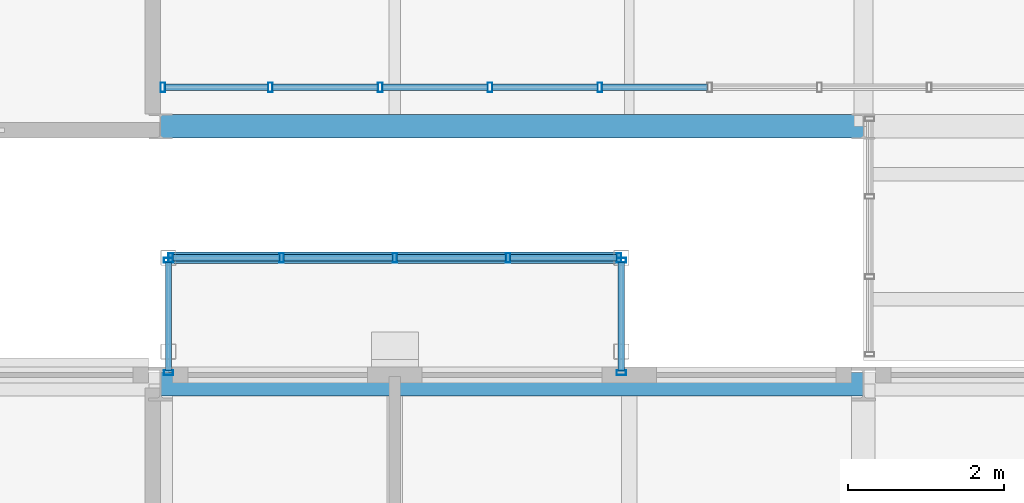
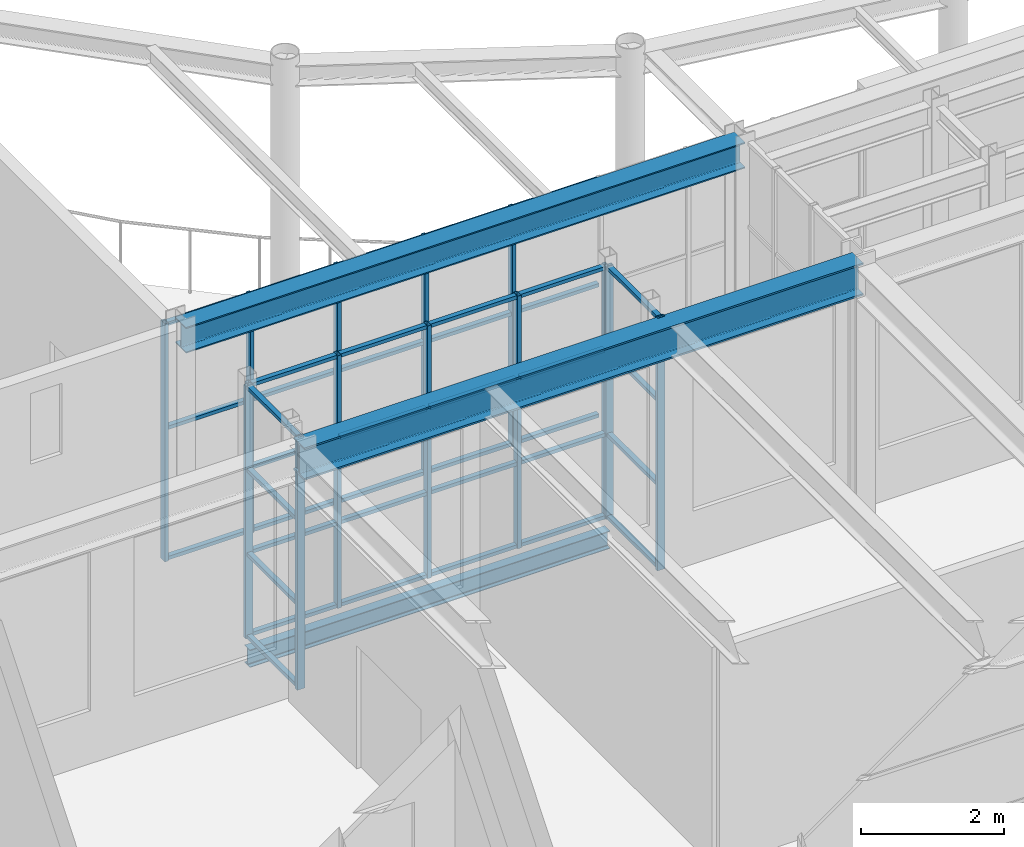
# One storey, part 34 of 111: 53 members, 3 beams, 4 elements without a shape of their own.
"""IFC4 building model written with IfcOpenShell, lengths in metres."""

from ifc_helpers import new_model, si_unit, direction, frame, origin, origin_2d, place, context, subcontext, project, spatial, hollow_rectangle, i_section, extrude, material, layer, layer_set, material_profile, profile_set, type_object, element, aggregate, save


model = new_model("IFC4")

# Units and contexts
model_context = context("Model", 3, precision=1e-05, world=origin(), true_north=direction((0.0, 1.0)))
body_context = subcontext(model_context, "Body", "Model", "MODEL_VIEW")
ifc_project = project(units=[si_unit("LENGTHUNIT", "METRE"), si_unit("AREAUNIT", "SQUARE_METRE"), si_unit("VOLUMEUNIT", "CUBIC_METRE"), si_unit("PLANEANGLEUNIT", "RADIAN"), si_unit("MASSUNIT", "GRAM", prefix="KILO")], contexts=[model_context])

# Site, building, storey
site_placement = place(None, origin())
site = spatial("IfcSite", under=ifc_project, at=site_placement, CompositionType="ELEMENT")
building_placement = place(site_placement, origin())
building = spatial("IfcBuilding", under=site, at=building_placement, Name="Kallimachos Central Library", CompositionType="ELEMENT")
storey_placement = place(building_placement, frame((0.0, 0.0, 14.39990234375)))
storey = spatial("IfcBuildingStorey", under=building, at=storey_placement, Name="L03", CompositionType="ELEMENT", Elevation=14.39990234375)

# Curtain wall, members
ifc_material_1 = material(Name="Anodised aluminium and laminated glass", Category="aluminium")
ifc_layer = layer(ifc_material_1, 0.159912109375)
ifc_layer_set = layer_set([ifc_layer], Name="Glass box curtain wall")
curtain_wall_type_1 = type_object("IfcCurtainWallType", Name="Glass box curtain wall", PredefinedType="NOTDEFINED", material=ifc_layer_set)
curtain_wall_1_placement = place(storey_placement, origin())
curtain_wall_1 = element("IfcCurtainWall", 1, at=curtain_wall_1_placement, inside=storey, type_object=curtain_wall_type_1, Name="Glass box curtain wall S L03", PredefinedType="NOTDEFINED")
ifc_material_2 = material(Name="Anodised aluminium", Category="aluminium")
ifc_material_profile_1 = material_profile(ifc_material_2, hollow_rectangle(XDim=0.06005859375, YDim=0.1201171875, WallThickness=0.00390625, at=origin_2d()), Name="ALU MULLION 60x120")
ifc_profile_set_1 = profile_set([ifc_material_profile_1], Name="Anodised aluminium")
member_type_1 = type_object("IfcMemberType", Name="Glass box mullion 60x120", PredefinedType="MULLION", material=ifc_profile_set_1)
member_1_placement = place(storey_placement, frame((74.530029296875, 87.64990234375, 0.0), z_axis=(0.0, 0.0, 1.0), x_axis=(1.0, 0.0, 0.0)))
member_1 = element("IfcMember", 2, at=member_1_placement, type_object=member_type_1, Name="CW21 mullion 1", PredefinedType="MULLION", context=body_context, shape_type="SweptSolid", body=[
    extrude(hollow_rectangle(XDim=0.06005859375, YDim=0.1201171875, WallThickness=0.00390625, at=origin_2d()), origin(), (0.0, 0.0, 1.0), 4.050048828125),
])
member_2_placement = place(storey_placement, frame((75.90625, 87.64990234375, 0.0), z_axis=(0.0, 0.0, 1.0), x_axis=(1.0, 0.0, 0.0)))
member_2 = element("IfcMember", 3, at=member_2_placement, type_object=member_type_1, Name="CW21 mullion 2", PredefinedType="MULLION", context=body_context, shape_type="SweptSolid", body=[
    extrude(hollow_rectangle(XDim=0.06005859375, YDim=0.1201171875, WallThickness=0.00390625, at=origin_2d()), origin(), (0.0, 0.0, 1.0), 4.050048828125),
])
member_3_placement = place(storey_placement, frame((77.3125, 87.64990234375, 0.0), z_axis=(0.0, 0.0, 1.0), x_axis=(1.0, 0.0, 0.0)))
member_3 = element("IfcMember", 4, at=member_3_placement, type_object=member_type_1, Name="CW21 mullion 3", PredefinedType="MULLION", context=body_context, shape_type="SweptSolid", body=[
    extrude(hollow_rectangle(XDim=0.06005859375, YDim=0.1201171875, WallThickness=0.00390625, at=origin_2d()), origin(), (0.0, 0.0, 1.0), 4.050048828125),
])
member_4_placement = place(storey_placement, frame((78.71875, 87.64990234375, 0.0), z_axis=(0.0, 0.0, 1.0), x_axis=(1.0, 0.0, 0.0)))
member_4 = element("IfcMember", 5, at=member_4_placement, type_object=member_type_1, Name="CW21 mullion 4", PredefinedType="MULLION", context=body_context, shape_type="SweptSolid", body=[
    extrude(hollow_rectangle(XDim=0.06005859375, YDim=0.1201171875, WallThickness=0.00390625, at=origin_2d()), origin(), (0.0, 0.0, 1.0), 4.050048828125),
])
member_5_placement = place(storey_placement, frame((80.125, 87.64990234375, 0.0), z_axis=(0.0, 0.0, 1.0), x_axis=(1.0, 0.0, 0.0)))
member_5 = element("IfcMember", 6, at=member_5_placement, type_object=member_type_1, Name="CW21 mullion 5", PredefinedType="MULLION", context=body_context, shape_type="SweptSolid", body=[
    extrude(hollow_rectangle(XDim=0.06005859375, YDim=0.1201171875, WallThickness=0.00390625, at=origin_2d()), origin(), (0.0, 0.0, 1.0), 4.050048828125),
])
ifc_material_3 = material(Name="Anodised aluminium", Category="aluminium")
ifc_material_profile_2 = material_profile(ifc_material_3, hollow_rectangle(XDim=0.06005859375, YDim=0.080078125, WallThickness=0.00390625, at=origin_2d()), Name="ALU TRANSOM 60x80")
ifc_profile_set_2 = profile_set([ifc_material_profile_2], Name="Anodised aluminium")
member_type_2 = type_object("IfcMemberType", Name="Glass box transom 60x80", PredefinedType="USERDEFINED", material=ifc_profile_set_2)
member_6_placement = place(storey_placement, frame((74.56005859375, 87.64990234375, 0.030029296875), z_axis=(1.0, 0.0, 0.0), x_axis=(0.0, 0.0, 1.0)))
member_6 = element("IfcMember", 7, at=member_6_placement, type_object=member_type_2, Name="CW21 transom 1.1", ObjectType="TRANSOM", PredefinedType="USERDEFINED", context=body_context, shape_type="SweptSolid", body=[
    extrude(hollow_rectangle(XDim=0.06005859375, YDim=0.080078125, WallThickness=0.00390625, at=origin_2d()), origin(), (0.0, 0.0, 1.0), 1.316162109375),
])
member_7_placement = place(storey_placement, frame((74.56005859375, 87.64990234375, 2.25), z_axis=(1.0, 0.0, 0.0), x_axis=(0.0, 0.0, 1.0)))
member_7 = element("IfcMember", 8, at=member_7_placement, type_object=member_type_2, Name="CW21 transom 1.2", ObjectType="TRANSOM", PredefinedType="USERDEFINED", context=body_context, shape_type="SweptSolid", body=[
    extrude(hollow_rectangle(XDim=0.06005859375, YDim=0.080078125, WallThickness=0.00390625, at=origin_2d()), origin(), (0.0, 0.0, 1.0), 1.316162109375),
])
member_8_placement = place(storey_placement, frame((74.56005859375, 87.64990234375, 4.02001953125), z_axis=(1.0, 0.0, 0.0), x_axis=(0.0, 0.0, 1.0)))
member_8 = element("IfcMember", 9, at=member_8_placement, type_object=member_type_2, Name="CW21 transom 1.3", ObjectType="TRANSOM", PredefinedType="USERDEFINED", context=body_context, shape_type="SweptSolid", body=[
    extrude(hollow_rectangle(XDim=0.06005859375, YDim=0.080078125, WallThickness=0.00390625, at=origin_2d()), origin(), (0.0, 0.0, 1.0), 1.316162109375),
])
member_9_placement = place(storey_placement, frame((75.936279296875, 87.64990234375, 0.030029296875), z_axis=(1.0, 0.0, 0.0), x_axis=(0.0, 0.0, 1.0)))
member_9 = element("IfcMember", 10, at=member_9_placement, type_object=member_type_2, Name="CW21 transom 2.1", ObjectType="TRANSOM", PredefinedType="USERDEFINED", context=body_context, shape_type="SweptSolid", body=[
    extrude(hollow_rectangle(XDim=0.06005859375, YDim=0.080078125, WallThickness=0.00390625, at=origin_2d()), origin(), (0.0, 0.0, 1.0), 1.34619140625),
])
member_10_placement = place(storey_placement, frame((75.936279296875, 87.64990234375, 2.25), z_axis=(1.0, 0.0, 0.0), x_axis=(0.0, 0.0, 1.0)))
member_10 = element("IfcMember", 11, at=member_10_placement, type_object=member_type_2, Name="CW21 transom 2.2", ObjectType="TRANSOM", PredefinedType="USERDEFINED", context=body_context, shape_type="SweptSolid", body=[
    extrude(hollow_rectangle(XDim=0.06005859375, YDim=0.080078125, WallThickness=0.00390625, at=origin_2d()), origin(), (0.0, 0.0, 1.0), 1.34619140625),
])
member_11_placement = place(storey_placement, frame((75.936279296875, 87.64990234375, 4.02001953125), z_axis=(1.0, 0.0, 0.0), x_axis=(0.0, 0.0, 1.0)))
member_11 = element("IfcMember", 12, at=member_11_placement, type_object=member_type_2, Name="CW21 transom 2.3", ObjectType="TRANSOM", PredefinedType="USERDEFINED", context=body_context, shape_type="SweptSolid", body=[
    extrude(hollow_rectangle(XDim=0.06005859375, YDim=0.080078125, WallThickness=0.00390625, at=origin_2d()), origin(), (0.0, 0.0, 1.0), 1.34619140625),
])
member_12_placement = place(storey_placement, frame((77.342529296875, 87.64990234375, 0.030029296875), z_axis=(1.0, 0.0, 0.0), x_axis=(0.0, 0.0, 1.0)))
member_12 = element("IfcMember", 13, at=member_12_placement, type_object=member_type_2, Name="CW21 transom 3.1", ObjectType="TRANSOM", PredefinedType="USERDEFINED", context=body_context, shape_type="SweptSolid", body=[
    extrude(hollow_rectangle(XDim=0.06005859375, YDim=0.080078125, WallThickness=0.00390625, at=origin_2d()), origin(), (0.0, 0.0, 1.0), 1.34619140625),
])
member_13_placement = place(storey_placement, frame((77.342529296875, 87.64990234375, 2.25), z_axis=(1.0, 0.0, 0.0), x_axis=(0.0, 0.0, 1.0)))
member_13 = element("IfcMember", 14, at=member_13_placement, type_object=member_type_2, Name="CW21 transom 3.2", ObjectType="TRANSOM", PredefinedType="USERDEFINED", context=body_context, shape_type="SweptSolid", body=[
    extrude(hollow_rectangle(XDim=0.06005859375, YDim=0.080078125, WallThickness=0.00390625, at=origin_2d()), origin(), (0.0, 0.0, 1.0), 1.34619140625),
])
member_14_placement = place(storey_placement, frame((77.342529296875, 87.64990234375, 4.02001953125), z_axis=(1.0, 0.0, 0.0), x_axis=(0.0, 0.0, 1.0)))
member_14 = element("IfcMember", 15, at=member_14_placement, type_object=member_type_2, Name="CW21 transom 3.3", ObjectType="TRANSOM", PredefinedType="USERDEFINED", context=body_context, shape_type="SweptSolid", body=[
    extrude(hollow_rectangle(XDim=0.06005859375, YDim=0.080078125, WallThickness=0.00390625, at=origin_2d()), origin(), (0.0, 0.0, 1.0), 1.34619140625),
])
member_15_placement = place(storey_placement, frame((78.748779296875, 87.64990234375, 0.030029296875), z_axis=(1.0, 0.0, 0.0), x_axis=(0.0, 0.0, 1.0)))
member_15 = element("IfcMember", 16, at=member_15_placement, type_object=member_type_2, Name="CW21 transom 4.1", ObjectType="TRANSOM", PredefinedType="USERDEFINED", context=body_context, shape_type="SweptSolid", body=[
    extrude(hollow_rectangle(XDim=0.06005859375, YDim=0.080078125, WallThickness=0.00390625, at=origin_2d()), origin(), (0.0, 0.0, 1.0), 1.34619140625),
])
member_16_placement = place(storey_placement, frame((78.748779296875, 87.64990234375, 2.25), z_axis=(1.0, 0.0, 0.0), x_axis=(0.0, 0.0, 1.0)))
member_16 = element("IfcMember", 17, at=member_16_placement, type_object=member_type_2, Name="CW21 transom 4.2", ObjectType="TRANSOM", PredefinedType="USERDEFINED", context=body_context, shape_type="SweptSolid", body=[
    extrude(hollow_rectangle(XDim=0.06005859375, YDim=0.080078125, WallThickness=0.00390625, at=origin_2d()), origin(), (0.0, 0.0, 1.0), 1.34619140625),
])
member_17_placement = place(storey_placement, frame((78.748779296875, 87.64990234375, 4.02001953125), z_axis=(1.0, 0.0, 0.0), x_axis=(0.0, 0.0, 1.0)))
member_17 = element("IfcMember", 18, at=member_17_placement, type_object=member_type_2, Name="CW21 transom 4.3", ObjectType="TRANSOM", PredefinedType="USERDEFINED", context=body_context, shape_type="SweptSolid", body=[
    extrude(hollow_rectangle(XDim=0.06005859375, YDim=0.080078125, WallThickness=0.00390625, at=origin_2d()), origin(), (0.0, 0.0, 1.0), 1.34619140625),
])
member_18_placement = place(storey_placement, frame((80.155029296875, 87.64990234375, 0.030029296875), z_axis=(1.0, 0.0, 0.0), x_axis=(0.0, 0.0, 1.0)))
member_18 = element("IfcMember", 19, at=member_18_placement, type_object=member_type_2, Name="CW21 transom 5.1", ObjectType="TRANSOM", PredefinedType="USERDEFINED", context=body_context, shape_type="SweptSolid", body=[
    extrude(hollow_rectangle(XDim=0.06005859375, YDim=0.080078125, WallThickness=0.00390625, at=origin_2d()), origin(), (0.0, 0.0, 1.0), 1.34619140625),
])
member_19_placement = place(storey_placement, frame((80.155029296875, 87.64990234375, 2.25), z_axis=(1.0, 0.0, 0.0), x_axis=(0.0, 0.0, 1.0)))
member_19 = element("IfcMember", 20, at=member_19_placement, type_object=member_type_2, Name="CW21 transom 5.2", ObjectType="TRANSOM", PredefinedType="USERDEFINED", context=body_context, shape_type="SweptSolid", body=[
    extrude(hollow_rectangle(XDim=0.06005859375, YDim=0.080078125, WallThickness=0.00390625, at=origin_2d()), origin(), (0.0, 0.0, 1.0), 1.34619140625),
])
member_20_placement = place(storey_placement, frame((80.155029296875, 87.64990234375, 4.02001953125), z_axis=(1.0, 0.0, 0.0), x_axis=(0.0, 0.0, 1.0)))
member_20 = element("IfcMember", 21, at=member_20_placement, type_object=member_type_2, Name="CW21 transom 5.3", ObjectType="TRANSOM", PredefinedType="USERDEFINED", context=body_context, shape_type="SweptSolid", body=[
    extrude(hollow_rectangle(XDim=0.06005859375, YDim=0.080078125, WallThickness=0.00390625, at=origin_2d()), origin(), (0.0, 0.0, 1.0), 1.34619140625),
])
aggregate(curtain_wall_1, [member_1, member_2, member_3, member_4, member_5, member_6, member_7, member_8, member_9, member_10, member_11, member_12, member_13, member_14, member_15, member_16, member_17, member_18, member_19, member_20])

# Beams
ifc_material_4 = material(Name="Steel S355J2", Category="steel")
ifc_material_profile_3 = material_profile(ifc_material_4, i_section(OverallWidth=0.300048828125, OverallDepth=0.43994140625, WebThickness=0.011474609375, FlangeThickness=0.02099609375, FilletRadius=0.027099609375, at=origin_2d()), Name="HEA 450")
ifc_profile_set_3 = profile_set([ifc_material_profile_3], Name="Steel S355J2")
beam_type_1 = type_object("IfcBeamType", Name="HEA 450 beam", PredefinedType="BEAM", material=ifc_profile_set_3)
beam_1_placement = place(storey_placement, frame((74.5, 87.14990234375, 4.130126953125), z_axis=(1.0, 0.0, 0.0), x_axis=(0.0, 1.0, 0.0)))
element("IfcBeam", 22, at=beam_1_placement, inside=storey, type_object=beam_type_1, Name="V1-BEM-L03-039", PredefinedType="BEAM", context=body_context, shape_type="SweptSolid", body=[
    extrude(i_section(OverallWidth=0.300048828125, OverallDepth=0.43994140625, WebThickness=0.011474609375, FlangeThickness=0.02099609375, FilletRadius=0.027099609375, at=origin_2d()), origin(), (0.0, 0.0, 1.0), 9.0),
])
ifc_material_5 = material(Name="Steel S355J2", Category="steel")
ifc_material_profile_4 = material_profile(ifc_material_5, i_section(OverallWidth=0.300048828125, OverallDepth=0.550048828125, WebThickness=0.014892578125, FlangeThickness=0.029052734375, FilletRadius=0.027099609375, at=origin_2d()), Name="HEB 550")
ifc_profile_set_4 = profile_set([ifc_material_profile_4], Name="Steel S355J2")
beam_type_2 = type_object("IfcBeamType", Name="HEB 550 beam", PredefinedType="BEAM", material=ifc_profile_set_4)
beam_2_placement = place(storey_placement, frame((74.5, 83.85009765625, 4.025146484375), z_axis=(1.0, 0.0, 0.0), x_axis=(0.0, 1.0, 0.0)))
element("IfcBeam", 23, at=beam_2_placement, inside=storey, type_object=beam_type_2, Name="V4-BEM-L03-005", PredefinedType="BEAM", context=body_context, shape_type="SweptSolid", body=[
    extrude(i_section(OverallWidth=0.300048828125, OverallDepth=0.550048828125, WebThickness=0.014892578125, FlangeThickness=0.029052734375, FilletRadius=0.027099609375, at=origin_2d()), origin(), (0.0, 0.0, 1.0), 9.0),
])
ifc_material_6 = material(Name="Steel S355J2", Category="steel")
ifc_material_profile_5 = material_profile(ifc_material_6, i_section(OverallWidth=0.14990234375, OverallDepth=0.300048828125, WebThickness=0.007080078125, FlangeThickness=0.0107421875, FilletRadius=0.014892578125, at=origin_2d()), Name="IPE 300")
ifc_profile_set_5 = profile_set([ifc_material_profile_5], Name="Steel S355J2")
beam_type_3 = type_object("IfcBeamType", Name="IPE 300 beam", PredefinedType="BEAM", material=ifc_profile_set_5)
beam_3_placement = place(storey_placement, frame((74.60009765625, 85.466064453125, -0.349853515625), z_axis=(1.0, 0.0, 0.0), x_axis=(0.0, 1.0, 0.0)))
element("IfcBeam", 24, at=beam_3_placement, inside=storey, type_object=beam_type_3, Name="Tribune bay N1 edge beam L03", PredefinedType="BEAM", context=body_context, shape_type="SweptSolid", body=[
    extrude(i_section(OverallWidth=0.14990234375, OverallDepth=0.300048828125, WebThickness=0.007080078125, FlangeThickness=0.0107421875, FilletRadius=0.014892578125, at=origin_2d()), origin(), (0.0, 0.0, 1.0), 5.7998046875),
])

# Curtain wall, members
ifc_material_7 = material(Name="Aluminium and laminated glass", Category="aluminium")
curtain_wall_type_2 = type_object("IfcCurtainWallType", Name="Tribune bay glazed screen", PredefinedType="NOTDEFINED", material=ifc_material_7)
curtain_wall_2_placement = place(storey_placement, origin())
curtain_wall_2 = element("IfcCurtainWall", 25, at=curtain_wall_2_placement, inside=storey, type_object=curtain_wall_type_2, Name="Tribune bay N1 L03 front", PredefinedType="NOTDEFINED")
ifc_material_8 = material(Name="Anodised aluminium", Category="aluminium")
ifc_material_profile_6 = material_profile(ifc_material_8, hollow_rectangle(XDim=0.06005859375, YDim=0.1201171875, WallThickness=0.00390625, at=origin_2d()), Name="ALU MULLION 60x120")
ifc_profile_set_6 = profile_set([ifc_material_profile_6], Name="Anodised aluminium")
member_type_3 = type_object("IfcMemberType", Name="Tribune bay mullion", PredefinedType="MULLION", material=ifc_profile_set_6)
member_21_placement = place(storey_placement, frame((74.6298828125, 85.466064453125, 0.0), z_axis=(0.0, 0.0, 1.0), x_axis=(1.0, 0.0, 0.0)))
member_21 = element("IfcMember", 26, at=member_21_placement, type_object=member_type_3, Name="CW mullion 1", PredefinedType="MULLION", context=body_context, shape_type="SweptSolid", body=[
    extrude(hollow_rectangle(XDim=0.06005859375, YDim=0.1201171875, WallThickness=0.00390625, at=origin_2d()), origin(), (0.0, 0.0, 1.0), 4.300048828125),
])
member_22_placement = place(storey_placement, frame((76.050048828125, 85.466064453125, 0.0), z_axis=(0.0, 0.0, 1.0), x_axis=(1.0, 0.0, 0.0)))
member_22 = element("IfcMember", 27, at=member_22_placement, type_object=member_type_3, Name="CW mullion 2", PredefinedType="MULLION", context=body_context, shape_type="SweptSolid", body=[
    extrude(hollow_rectangle(XDim=0.06005859375, YDim=0.1201171875, WallThickness=0.00390625, at=origin_2d()), origin(), (0.0, 0.0, 1.0), 4.300048828125),
])
member_23_placement = place(storey_placement, frame((77.5, 85.466064453125, 0.0), z_axis=(0.0, 0.0, 1.0), x_axis=(1.0, 0.0, 0.0)))
member_23 = element("IfcMember", 28, at=member_23_placement, type_object=member_type_3, Name="CW mullion 3", PredefinedType="MULLION", context=body_context, shape_type="SweptSolid", body=[
    extrude(hollow_rectangle(XDim=0.06005859375, YDim=0.1201171875, WallThickness=0.00390625, at=origin_2d()), origin(), (0.0, 0.0, 1.0), 4.300048828125),
])
member_24_placement = place(storey_placement, frame((78.949951171875, 85.466064453125, 0.0), z_axis=(0.0, 0.0, 1.0), x_axis=(1.0, 0.0, 0.0)))
member_24 = element("IfcMember", 29, at=member_24_placement, type_object=member_type_3, Name="CW mullion 4", PredefinedType="MULLION", context=body_context, shape_type="SweptSolid", body=[
    extrude(hollow_rectangle(XDim=0.06005859375, YDim=0.1201171875, WallThickness=0.00390625, at=origin_2d()), origin(), (0.0, 0.0, 1.0), 4.300048828125),
])
member_25_placement = place(storey_placement, frame((80.3701171875, 85.466064453125, 0.0), z_axis=(0.0, 0.0, 1.0), x_axis=(1.0, 0.0, 0.0)))
member_25 = element("IfcMember", 30, at=member_25_placement, type_object=member_type_3, Name="CW mullion 5", PredefinedType="MULLION", context=body_context, shape_type="SweptSolid", body=[
    extrude(hollow_rectangle(XDim=0.06005859375, YDim=0.1201171875, WallThickness=0.00390625, at=origin_2d()), origin(), (0.0, 0.0, 1.0), 4.300048828125),
])

curtain_wall_3_placement = place(storey_placement, origin())
curtain_wall_3 = element("IfcCurtainWall", 31, at=curtain_wall_3_placement, inside=storey, type_object=curtain_wall_type_2, Name="Tribune bay N1 L03 return 1", PredefinedType="NOTDEFINED")
member_26_placement = place(storey_placement, frame((74.60009765625, 83.99609375, 0.0), z_axis=(0.0, 0.0, 1.0), x_axis=(0.0, 1.0, 0.0)))
member_26 = element("IfcMember", 32, at=member_26_placement, type_object=member_type_3, Name="CW mullion 1", PredefinedType="MULLION", context=body_context, shape_type="SweptSolid", body=[
    extrude(hollow_rectangle(XDim=0.06005859375, YDim=0.1201171875, WallThickness=0.00390625, at=origin_2d()), origin(), (0.0, 0.0, 1.0), 4.300048828125),
])
member_27_placement = place(storey_placement, frame((74.60009765625, 85.43603515625, 0.0), z_axis=(0.0, 0.0, 1.0), x_axis=(0.0, 1.0, 0.0)))
member_27 = element("IfcMember", 33, at=member_27_placement, type_object=member_type_3, Name="CW mullion 2", PredefinedType="MULLION", context=body_context, shape_type="SweptSolid", body=[
    extrude(hollow_rectangle(XDim=0.06005859375, YDim=0.1201171875, WallThickness=0.00390625, at=origin_2d()), origin(), (0.0, 0.0, 1.0), 4.300048828125),
])

curtain_wall_4_placement = place(storey_placement, origin())
curtain_wall_4 = element("IfcCurtainWall", 34, at=curtain_wall_4_placement, inside=storey, type_object=curtain_wall_type_2, Name="Tribune bay N1 L03 return 2", PredefinedType="NOTDEFINED")
member_28_placement = place(storey_placement, frame((80.39990234375, 83.99609375, 0.0), z_axis=(0.0, 0.0, 1.0), x_axis=(0.0, 1.0, 0.0)))
member_28 = element("IfcMember", 35, at=member_28_placement, type_object=member_type_3, Name="CW mullion 1", PredefinedType="MULLION", context=body_context, shape_type="SweptSolid", body=[
    extrude(hollow_rectangle(XDim=0.06005859375, YDim=0.1201171875, WallThickness=0.00390625, at=origin_2d()), origin(), (0.0, 0.0, 1.0), 4.300048828125),
])
member_29_placement = place(storey_placement, frame((80.39990234375, 85.43603515625, 0.0), z_axis=(0.0, 0.0, 1.0), x_axis=(0.0, 1.0, 0.0)))
member_29 = element("IfcMember", 36, at=member_29_placement, type_object=member_type_3, Name="CW mullion 2", PredefinedType="MULLION", context=body_context, shape_type="SweptSolid", body=[
    extrude(hollow_rectangle(XDim=0.06005859375, YDim=0.1201171875, WallThickness=0.00390625, at=origin_2d()), origin(), (0.0, 0.0, 1.0), 4.300048828125),
])

# Member
ifc_material_9 = material(Name="Anodised aluminium", Category="aluminium")
ifc_material_profile_7 = material_profile(ifc_material_9, hollow_rectangle(XDim=0.06005859375, YDim=0.080078125, WallThickness=0.00390625, at=origin_2d()), Name="ALU TRANSOM 60x80")
ifc_profile_set_7 = profile_set([ifc_material_profile_7], Name="Anodised aluminium")
member_type_4 = type_object("IfcMemberType", Name="Tribune bay transom", PredefinedType="USERDEFINED", material=ifc_profile_set_7)
member_30_placement = place(storey_placement, frame((74.659912109375, 85.466064453125, 0.030029296875), z_axis=(1.0, 0.0, 0.0), x_axis=(0.0, 0.0, 1.0)))
member_30 = element("IfcMember", 37, at=member_30_placement, type_object=member_type_4, Name="CW transom 1.1", ObjectType="TRANSOM", PredefinedType="USERDEFINED", context=body_context, shape_type="SweptSolid", body=[
    extrude(hollow_rectangle(XDim=0.06005859375, YDim=0.080078125, WallThickness=0.00390625, at=origin_2d()), origin(), (0.0, 0.0, 1.0), 1.360107421875),
])

member_31_placement = place(storey_placement, frame((74.659912109375, 85.466064453125, 1.433349609375), z_axis=(1.0, 0.0, 0.0), x_axis=(0.0, 0.0, 1.0)))
member_31 = element("IfcMember", 38, at=member_31_placement, type_object=member_type_4, Name="CW transom 1.2", ObjectType="TRANSOM", PredefinedType="USERDEFINED", context=body_context, shape_type="SweptSolid", body=[
    extrude(hollow_rectangle(XDim=0.06005859375, YDim=0.080078125, WallThickness=0.00390625, at=origin_2d()), origin(), (0.0, 0.0, 1.0), 1.360107421875),
])

member_32_placement = place(storey_placement, frame((74.659912109375, 85.466064453125, 2.86669921875), z_axis=(1.0, 0.0, 0.0), x_axis=(0.0, 0.0, 1.0)))
member_32 = element("IfcMember", 39, at=member_32_placement, type_object=member_type_4, Name="CW transom 1.3", ObjectType="TRANSOM", PredefinedType="USERDEFINED", context=body_context, shape_type="SweptSolid", body=[
    extrude(hollow_rectangle(XDim=0.06005859375, YDim=0.080078125, WallThickness=0.00390625, at=origin_2d()), origin(), (0.0, 0.0, 1.0), 1.360107421875),
])

member_33_placement = place(storey_placement, frame((74.659912109375, 85.466064453125, 4.27001953125), z_axis=(1.0, 0.0, 0.0), x_axis=(0.0, 0.0, 1.0)))
member_33 = element("IfcMember", 40, at=member_33_placement, type_object=member_type_4, Name="CW transom 1.4", ObjectType="TRANSOM", PredefinedType="USERDEFINED", context=body_context, shape_type="SweptSolid", body=[
    extrude(hollow_rectangle(XDim=0.06005859375, YDim=0.080078125, WallThickness=0.00390625, at=origin_2d()), origin(), (0.0, 0.0, 1.0), 1.360107421875),
])

member_34_placement = place(storey_placement, frame((76.080078125, 85.466064453125, 0.030029296875), z_axis=(1.0, 0.0, 0.0), x_axis=(0.0, 0.0, 1.0)))
member_34 = element("IfcMember", 41, at=member_34_placement, type_object=member_type_4, Name="CW transom 2.1", ObjectType="TRANSOM", PredefinedType="USERDEFINED", context=body_context, shape_type="SweptSolid", body=[
    extrude(hollow_rectangle(XDim=0.06005859375, YDim=0.080078125, WallThickness=0.00390625, at=origin_2d()), origin(), (0.0, 0.0, 1.0), 1.389892578125),
])

member_35_placement = place(storey_placement, frame((76.080078125, 85.466064453125, 1.433349609375), z_axis=(1.0, 0.0, 0.0), x_axis=(0.0, 0.0, 1.0)))
member_35 = element("IfcMember", 42, at=member_35_placement, type_object=member_type_4, Name="CW transom 2.2", ObjectType="TRANSOM", PredefinedType="USERDEFINED", context=body_context, shape_type="SweptSolid", body=[
    extrude(hollow_rectangle(XDim=0.06005859375, YDim=0.080078125, WallThickness=0.00390625, at=origin_2d()), origin(), (0.0, 0.0, 1.0), 1.389892578125),
])

member_36_placement = place(storey_placement, frame((76.080078125, 85.466064453125, 2.86669921875), z_axis=(1.0, 0.0, 0.0), x_axis=(0.0, 0.0, 1.0)))
member_36 = element("IfcMember", 43, at=member_36_placement, type_object=member_type_4, Name="CW transom 2.3", ObjectType="TRANSOM", PredefinedType="USERDEFINED", context=body_context, shape_type="SweptSolid", body=[
    extrude(hollow_rectangle(XDim=0.06005859375, YDim=0.080078125, WallThickness=0.00390625, at=origin_2d()), origin(), (0.0, 0.0, 1.0), 1.389892578125),
])

member_37_placement = place(storey_placement, frame((76.080078125, 85.466064453125, 4.27001953125), z_axis=(1.0, 0.0, 0.0), x_axis=(0.0, 0.0, 1.0)))
member_37 = element("IfcMember", 44, at=member_37_placement, type_object=member_type_4, Name="CW transom 2.4", ObjectType="TRANSOM", PredefinedType="USERDEFINED", context=body_context, shape_type="SweptSolid", body=[
    extrude(hollow_rectangle(XDim=0.06005859375, YDim=0.080078125, WallThickness=0.00390625, at=origin_2d()), origin(), (0.0, 0.0, 1.0), 1.389892578125),
])

member_38_placement = place(storey_placement, frame((77.530029296875, 85.466064453125, 0.030029296875), z_axis=(1.0, 0.0, 0.0), x_axis=(0.0, 0.0, 1.0)))
member_38 = element("IfcMember", 45, at=member_38_placement, type_object=member_type_4, Name="CW transom 3.1", ObjectType="TRANSOM", PredefinedType="USERDEFINED", context=body_context, shape_type="SweptSolid", body=[
    extrude(hollow_rectangle(XDim=0.06005859375, YDim=0.080078125, WallThickness=0.00390625, at=origin_2d()), origin(), (0.0, 0.0, 1.0), 1.389892578125),
])

member_39_placement = place(storey_placement, frame((77.530029296875, 85.466064453125, 1.433349609375), z_axis=(1.0, 0.0, 0.0), x_axis=(0.0, 0.0, 1.0)))
member_39 = element("IfcMember", 46, at=member_39_placement, type_object=member_type_4, Name="CW transom 3.2", ObjectType="TRANSOM", PredefinedType="USERDEFINED", context=body_context, shape_type="SweptSolid", body=[
    extrude(hollow_rectangle(XDim=0.06005859375, YDim=0.080078125, WallThickness=0.00390625, at=origin_2d()), origin(), (0.0, 0.0, 1.0), 1.389892578125),
])

member_40_placement = place(storey_placement, frame((77.530029296875, 85.466064453125, 2.86669921875), z_axis=(1.0, 0.0, 0.0), x_axis=(0.0, 0.0, 1.0)))
member_40 = element("IfcMember", 47, at=member_40_placement, type_object=member_type_4, Name="CW transom 3.3", ObjectType="TRANSOM", PredefinedType="USERDEFINED", context=body_context, shape_type="SweptSolid", body=[
    extrude(hollow_rectangle(XDim=0.06005859375, YDim=0.080078125, WallThickness=0.00390625, at=origin_2d()), origin(), (0.0, 0.0, 1.0), 1.389892578125),
])

member_41_placement = place(storey_placement, frame((77.530029296875, 85.466064453125, 4.27001953125), z_axis=(1.0, 0.0, 0.0), x_axis=(0.0, 0.0, 1.0)))
member_41 = element("IfcMember", 48, at=member_41_placement, type_object=member_type_4, Name="CW transom 3.4", ObjectType="TRANSOM", PredefinedType="USERDEFINED", context=body_context, shape_type="SweptSolid", body=[
    extrude(hollow_rectangle(XDim=0.06005859375, YDim=0.080078125, WallThickness=0.00390625, at=origin_2d()), origin(), (0.0, 0.0, 1.0), 1.389892578125),
])

member_42_placement = place(storey_placement, frame((78.97998046875, 85.466064453125, 0.030029296875), z_axis=(1.0, 0.0, 0.0), x_axis=(0.0, 0.0, 1.0)))
member_42 = element("IfcMember", 49, at=member_42_placement, type_object=member_type_4, Name="CW transom 4.1", ObjectType="TRANSOM", PredefinedType="USERDEFINED", context=body_context, shape_type="SweptSolid", body=[
    extrude(hollow_rectangle(XDim=0.06005859375, YDim=0.080078125, WallThickness=0.00390625, at=origin_2d()), origin(), (0.0, 0.0, 1.0), 1.360107421875),
])

member_43_placement = place(storey_placement, frame((78.97998046875, 85.466064453125, 1.433349609375), z_axis=(1.0, 0.0, 0.0), x_axis=(0.0, 0.0, 1.0)))
member_43 = element("IfcMember", 50, at=member_43_placement, type_object=member_type_4, Name="CW transom 4.2", ObjectType="TRANSOM", PredefinedType="USERDEFINED", context=body_context, shape_type="SweptSolid", body=[
    extrude(hollow_rectangle(XDim=0.06005859375, YDim=0.080078125, WallThickness=0.00390625, at=origin_2d()), origin(), (0.0, 0.0, 1.0), 1.360107421875),
])

member_44_placement = place(storey_placement, frame((78.97998046875, 85.466064453125, 2.86669921875), z_axis=(1.0, 0.0, 0.0), x_axis=(0.0, 0.0, 1.0)))
member_44 = element("IfcMember", 51, at=member_44_placement, type_object=member_type_4, Name="CW transom 4.3", ObjectType="TRANSOM", PredefinedType="USERDEFINED", context=body_context, shape_type="SweptSolid", body=[
    extrude(hollow_rectangle(XDim=0.06005859375, YDim=0.080078125, WallThickness=0.00390625, at=origin_2d()), origin(), (0.0, 0.0, 1.0), 1.360107421875),
])

member_45_placement = place(storey_placement, frame((78.97998046875, 85.466064453125, 4.27001953125), z_axis=(1.0, 0.0, 0.0), x_axis=(0.0, 0.0, 1.0)))
member_45 = element("IfcMember", 52, at=member_45_placement, type_object=member_type_4, Name="CW transom 4.4", ObjectType="TRANSOM", PredefinedType="USERDEFINED", context=body_context, shape_type="SweptSolid", body=[
    extrude(hollow_rectangle(XDim=0.06005859375, YDim=0.080078125, WallThickness=0.00390625, at=origin_2d()), origin(), (0.0, 0.0, 1.0), 1.360107421875),
])

aggregate(curtain_wall_2, [member_21, member_22, member_23, member_24, member_25, member_30, member_31, member_32, member_33, member_34, member_35, member_36, member_37, member_38, member_39, member_40, member_41, member_42, member_43, member_44, member_45])

member_46_placement = place(storey_placement, frame((74.60009765625, 84.02587890625, 0.030029296875), z_axis=(0.0, 1.0, 0.0), x_axis=(0.0, 0.0, 1.0)))
member_46 = element("IfcMember", 53, at=member_46_placement, type_object=member_type_4, Name="CW transom 1.1", ObjectType="TRANSOM", PredefinedType="USERDEFINED", context=body_context, shape_type="SweptSolid", body=[
    extrude(hollow_rectangle(XDim=0.06005859375, YDim=0.080078125, WallThickness=0.00390625, at=origin_2d()), origin(), (0.0, 0.0, 1.0), 1.380126953125),
])

member_47_placement = place(storey_placement, frame((74.60009765625, 84.02587890625, 1.433349609375), z_axis=(0.0, 1.0, 0.0), x_axis=(0.0, 0.0, 1.0)))
member_47 = element("IfcMember", 54, at=member_47_placement, type_object=member_type_4, Name="CW transom 1.2", ObjectType="TRANSOM", PredefinedType="USERDEFINED", context=body_context, shape_type="SweptSolid", body=[
    extrude(hollow_rectangle(XDim=0.06005859375, YDim=0.080078125, WallThickness=0.00390625, at=origin_2d()), origin(), (0.0, 0.0, 1.0), 1.380126953125),
])

member_48_placement = place(storey_placement, frame((74.60009765625, 84.02587890625, 2.86669921875), z_axis=(0.0, 1.0, 0.0), x_axis=(0.0, 0.0, 1.0)))
member_48 = element("IfcMember", 55, at=member_48_placement, type_object=member_type_4, Name="CW transom 1.3", ObjectType="TRANSOM", PredefinedType="USERDEFINED", context=body_context, shape_type="SweptSolid", body=[
    extrude(hollow_rectangle(XDim=0.06005859375, YDim=0.080078125, WallThickness=0.00390625, at=origin_2d()), origin(), (0.0, 0.0, 1.0), 1.380126953125),
])

member_49_placement = place(storey_placement, frame((74.60009765625, 84.02587890625, 4.27001953125), z_axis=(0.0, 1.0, 0.0), x_axis=(0.0, 0.0, 1.0)))
member_49 = element("IfcMember", 56, at=member_49_placement, type_object=member_type_4, Name="CW transom 1.4", ObjectType="TRANSOM", PredefinedType="USERDEFINED", context=body_context, shape_type="SweptSolid", body=[
    extrude(hollow_rectangle(XDim=0.06005859375, YDim=0.080078125, WallThickness=0.00390625, at=origin_2d()), origin(), (0.0, 0.0, 1.0), 1.380126953125),
])

aggregate(curtain_wall_3, [member_26, member_27, member_46, member_47, member_48, member_49])

member_50_placement = place(storey_placement, frame((80.39990234375, 84.02587890625, 0.030029296875), z_axis=(0.0, 1.0, 0.0), x_axis=(0.0, 0.0, 1.0)))
member_50 = element("IfcMember", 57, at=member_50_placement, type_object=member_type_4, Name="CW transom 1.1", ObjectType="TRANSOM", PredefinedType="USERDEFINED", context=body_context, shape_type="SweptSolid", body=[
    extrude(hollow_rectangle(XDim=0.06005859375, YDim=0.080078125, WallThickness=0.00390625, at=origin_2d()), origin(), (0.0, 0.0, 1.0), 1.380126953125),
])

member_51_placement = place(storey_placement, frame((80.39990234375, 84.02587890625, 1.433349609375), z_axis=(0.0, 1.0, 0.0), x_axis=(0.0, 0.0, 1.0)))
member_51 = element("IfcMember", 58, at=member_51_placement, type_object=member_type_4, Name="CW transom 1.2", ObjectType="TRANSOM", PredefinedType="USERDEFINED", context=body_context, shape_type="SweptSolid", body=[
    extrude(hollow_rectangle(XDim=0.06005859375, YDim=0.080078125, WallThickness=0.00390625, at=origin_2d()), origin(), (0.0, 0.0, 1.0), 1.380126953125),
])

member_52_placement = place(storey_placement, frame((80.39990234375, 84.02587890625, 2.86669921875), z_axis=(0.0, 1.0, 0.0), x_axis=(0.0, 0.0, 1.0)))
member_52 = element("IfcMember", 59, at=member_52_placement, type_object=member_type_4, Name="CW transom 1.3", ObjectType="TRANSOM", PredefinedType="USERDEFINED", context=body_context, shape_type="SweptSolid", body=[
    extrude(hollow_rectangle(XDim=0.06005859375, YDim=0.080078125, WallThickness=0.00390625, at=origin_2d()), origin(), (0.0, 0.0, 1.0), 1.380126953125),
])

member_53_placement = place(storey_placement, frame((80.39990234375, 84.02587890625, 4.27001953125), z_axis=(0.0, 1.0, 0.0), x_axis=(0.0, 0.0, 1.0)))
member_53 = element("IfcMember", 60, at=member_53_placement, type_object=member_type_4, Name="CW transom 1.4", ObjectType="TRANSOM", PredefinedType="USERDEFINED", context=body_context, shape_type="SweptSolid", body=[
    extrude(hollow_rectangle(XDim=0.06005859375, YDim=0.080078125, WallThickness=0.00390625, at=origin_2d()), origin(), (0.0, 0.0, 1.0), 1.380126953125),
])

aggregate(curtain_wall_4, [member_28, member_29, member_50, member_51, member_52, member_53])

save(model, "model.ifc")
